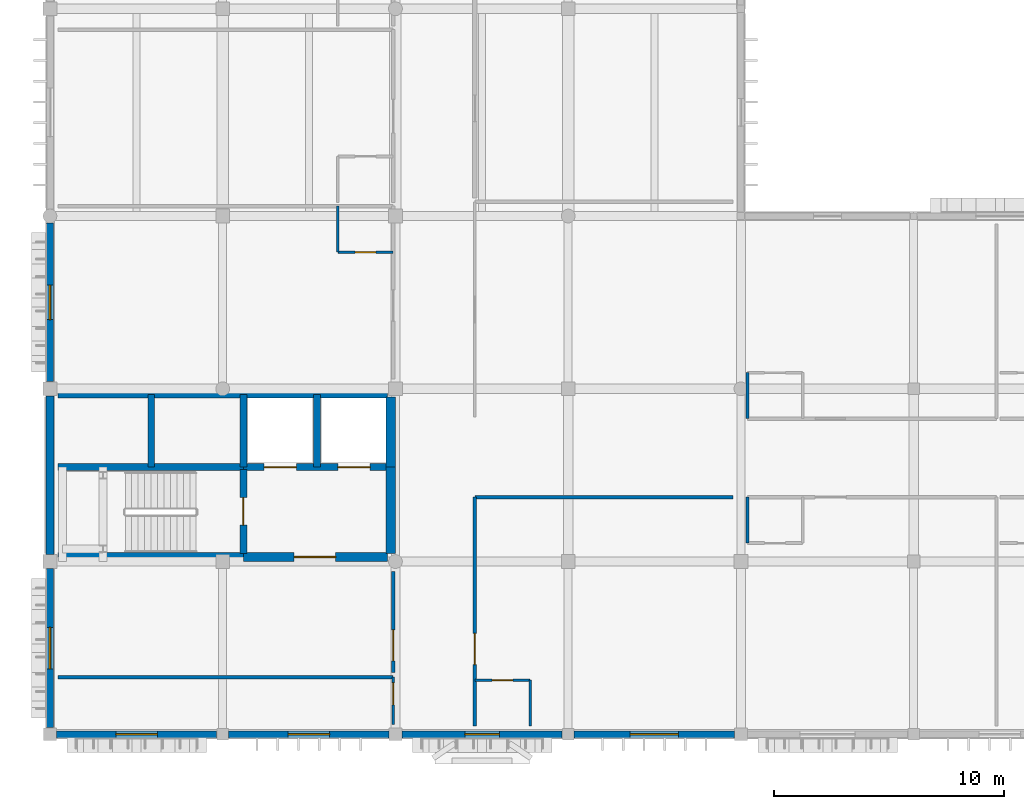
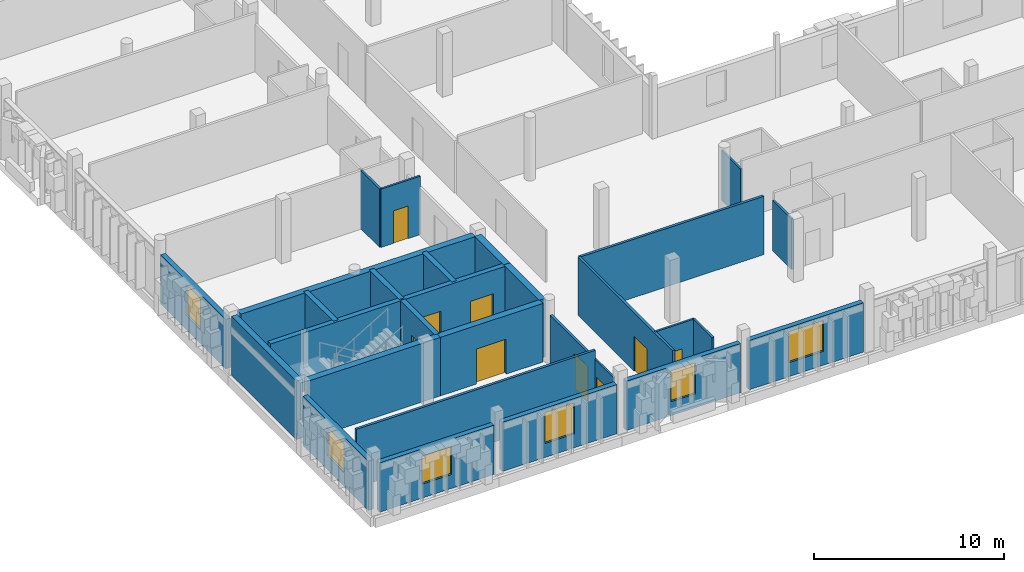
# One storey, part 10 of 33: 29 walls, 9 doors, 6 windows, 15 openings.
"""IFC4 building model written with IfcOpenShell, lengths in metres."""

from ifc_helpers import new_model, si_unit, direction, frame, frame_2d, origin, place, context, subcontext, project, spatial, rectangle, extrude, material, layer, layer_set, type_object, element, fill, save


model = new_model("IFC4")

# Units and contexts
model_context = context("Model", 3, precision=1e-05, world=origin(), true_north=direction((0.0, 1.0)))
body_context = subcontext(model_context, "Body", "Model", "MODEL_VIEW")
ifc_project = project(units=[si_unit("LENGTHUNIT", "METRE"), si_unit("AREAUNIT", "SQUARE_METRE"), si_unit("VOLUMEUNIT", "CUBIC_METRE"), si_unit("PLANEANGLEUNIT", "RADIAN"), si_unit("MASSUNIT", "GRAM", prefix="KILO")], contexts=[model_context])

# Site, building, storey
site_placement = place(None, origin())
site = spatial("IfcSite", under=ifc_project, at=site_placement, CompositionType="ELEMENT")
building_placement = place(site_placement, origin())
building = spatial("IfcBuilding", under=site, at=building_placement, Name="Dalvernix Boulevard General Hospital", CompositionType="ELEMENT")
storey_placement = place(building_placement, frame((0.0, 0.0, 21.89990234375)))
storey = spatial("IfcBuildingStorey", under=building, at=storey_placement, Name="L05", CompositionType="ELEMENT", Elevation=21.89990234375)

# Wall
ifc_material_1 = material(Name="Concrete C40/50", Category="concrete")
ifc_layer_1 = layer(ifc_material_1, 0.39990234375)
ifc_layer_set_1 = layer_set([ifc_layer_1], Name="Concrete C40/50 (WAL-CSW-01)")
wall_type_1 = type_object("IfcWallType", Name="WAL-CSW-01", PredefinedType="SHEAR", material=ifc_layer_set_1)
wall_1_placement = place(storey_placement, frame((0.35009765625, 7.699951171875, 0.0), z_axis=(0.0, 0.0, 1.0), x_axis=(1.0, 0.0, 0.0)))
element("IfcWall", 1, at=wall_1_placement, inside=storey, type_object=wall_type_1, Name="L05 C1 south stairwell wall", PredefinedType="SHEAR", context=body_context, shape_type="SweptSolid", body=[
    extrude(rectangle(XDim=8.0498046875, YDim=0.39990234375, at=frame_2d((4.02490234375, 0.0))), origin(), (0.0, 0.0, 1.0), 3.77001953125),
])

# Wall, opening, door
wall_2_placement = place(storey_placement, frame((8.39990234375, 7.699951171875, 0.0), z_axis=(0.0, 0.0, 1.0), x_axis=(1.0, 0.0, 0.0)))
wall_2 = element("IfcWall", 2, at=wall_2_placement, inside=storey, type_object=wall_type_1, Name="L05 C1 south firefighting lobby wall", PredefinedType="SHEAR", context=body_context, shape_type="SweptSolid", body=[
    extrude(rectangle(XDim=6.25, YDim=0.39990234375, at=frame_2d((3.125, 0.0))), origin(), (0.0, 0.0, 1.0), 3.77001953125),
])
opening_1_placement = place(wall_2_placement, frame((2.199951171875, 0.0, 0.0)))
opening_1 = element("IfcOpeningElement", 3, at=opening_1_placement, cuts=wall_2, Name="Opening FD-01", PredefinedType="OPENING", context=body_context, shape_type="SweptSolid", body=[
    extrude(rectangle(XDim=1.800048828125, YDim=2.25, at=frame_2d((0.89990234375, 1.125))), frame((0.0, 0.2099609375, 0.0), z_axis=(0.0, -1.0, 0.0), x_axis=(1.0, 0.0, 0.0)), (0.0, 0.0, 1.0), 0.419921875),
])
ifc_material_2 = material(Name="Hospital laminate acoustic timber and steel frame", Category="steel")
door_type_1 = type_object("IfcDoorType", Name="DR-FD-01", OperationType="DOUBLE_DOOR_SINGLE_SWING", PredefinedType="DOOR", material=ifc_material_2)
door_1_placement = place(opening_1_placement, origin())
door_1 = element("IfcDoor", 4, at=door_1_placement, inside=storey, type_object=door_type_1, Name="L05 C1 firefighting lobby door", OperationType="DOUBLE_DOOR_SINGLE_SWING", OverallHeight=2.25, OverallWidth=1.800048828125, PredefinedType="DOOR", context=body_context, shape_type="SweptSolid", body=[
    extrude(rectangle(XDim=1.800048828125, YDim=2.25, at=frame_2d((0.89990234375, 1.125))), frame((0.0, 0.02490234375, 0.0), z_axis=(0.0, -1.0, 0.0), x_axis=(1.0, 0.0, 0.0)), (0.0, 0.0, 1.0), 0.050048828125),
])
fill(opening_1, door_1)

# Walls
wall_3_placement = place(storey_placement, frame((0.35009765625, 14.800048828125, 0.0), z_axis=(0.0, 0.0, 1.0), x_axis=(1.0, 0.0, 0.0)))
element("IfcWall", 5, at=wall_3_placement, inside=storey, type_object=wall_type_1, Name="L05 C1 north shaft core wall", PredefinedType="SHEAR", context=body_context, shape_type="SweptSolid", body=[
    extrude(rectangle(XDim=14.2998046875, YDim=0.39990234375, at=frame_2d((7.14990234375, 0.0))), origin(), (0.0, 0.0, 1.0), 3.77001953125),
])
wall_4_placement = place(storey_placement, frame((14.800048828125, 7.85009765625, 0.0), z_axis=(0.0, 0.0, 1.0), x_axis=(0.0, 1.0, 0.0)))
element("IfcWall", 6, at=wall_4_placement, inside=storey, type_object=wall_type_1, Name="L05 C1 east lobby core wall", PredefinedType="SHEAR", context=body_context, shape_type="SweptSolid", body=[
    extrude(rectangle(XDim=3.75, YDim=0.39990234375, at=frame_2d((1.875, 0.0))), origin(), (0.0, 0.0, 1.0), 3.77001953125),
])
wall_5_placement = place(storey_placement, frame((14.800048828125, 11.60009765625, 0.0), z_axis=(0.0, 0.0, 1.0), x_axis=(0.0, 1.0, 0.0)))
element("IfcWall", 7, at=wall_5_placement, inside=storey, type_object=wall_type_1, Name="L05 C1 east shaft core wall", PredefinedType="SHEAR", context=body_context, shape_type="SweptSolid", body=[
    extrude(rectangle(XDim=3.0498046875, YDim=0.39990234375, at=frame_2d((1.52490234375, 0.0))), origin(), (0.0, 0.0, 1.0), 3.77001953125),
])
ifc_layer_2 = layer(ifc_material_1, 0.300048828125)
ifc_layer_set_2 = layer_set([ifc_layer_2], Name="Concrete C40/50 (WAL-CSW-02)")
wall_type_2 = type_object("IfcWallType", Name="WAL-CSW-02", PredefinedType="SHEAR", material=ifc_layer_set_2)
wall_6_placement = place(storey_placement, frame((0.35009765625, 11.60009765625, 0.0), z_axis=(0.0, 0.0, 1.0), x_axis=(1.0, 0.0, 0.0)))
element("IfcWall", 8, at=wall_6_placement, inside=storey, type_object=wall_type_2, Name="L05 C1 riser spine wall", PredefinedType="SHEAR", context=body_context, shape_type="SweptSolid", body=[
    extrude(rectangle(XDim=8.0498046875, YDim=0.300048828125, at=frame_2d((4.02490234375, 0.0))), origin(), (0.0, 0.0, 1.0), 3.77001953125),
])

# Wall, openings, doors
wall_7_placement = place(storey_placement, frame((8.39990234375, 11.60009765625, 0.0), z_axis=(0.0, 0.0, 1.0), x_axis=(1.0, 0.0, 0.0)))
wall_7 = element("IfcWall", 9, at=wall_7_placement, inside=storey, type_object=wall_type_2, Name="L05 C1 lift shaft front wall", PredefinedType="SHEAR", context=body_context, shape_type="SweptSolid", body=[
    extrude(rectangle(XDim=6.25, YDim=0.300048828125, at=frame_2d((3.125, 0.0))), origin(), (0.0, 0.0, 1.0), 3.77001953125),
])
opening_2_placement = place(wall_7_placement, frame((0.89990234375, 0.0, 0.0)))
opening_2 = element("IfcOpeningElement", 10, at=opening_2_placement, cuts=wall_7, Name="Opening LD-FFL-01-L05", PredefinedType="OPENING", context=body_context, shape_type="SweptSolid", body=[
    extrude(rectangle(XDim=1.39990234375, YDim=2.25, at=frame_2d((0.699951171875, 1.125))), frame((0.0, 0.159912109375, 0.0), z_axis=(0.0, -1.0, 0.0), x_axis=(1.0, 0.0, 0.0)), (0.0, 0.0, 1.0), 0.320068359375),
])
opening_3_placement = place(wall_7_placement, frame((4.10009765625, 0.0, 0.0)))
opening_3 = element("IfcOpeningElement", 11, at=opening_3_placement, cuts=wall_7, Name="Opening LD-FFL-02-L05", PredefinedType="OPENING", context=body_context, shape_type="SweptSolid", body=[
    extrude(rectangle(XDim=1.39990234375, YDim=2.25, at=frame_2d((0.699951171875, 1.125))), frame((0.0, 0.159912109375, 0.0), z_axis=(0.0, -1.0, 0.0), x_axis=(1.0, 0.0, 0.0)), (0.0, 0.0, 1.0), 0.320068359375),
])
ifc_material_3 = material(Name="Stainless-clad steel", Category="steel")
door_type_2 = type_object("IfcDoorType", Name="DR-LD-01", OperationType="DOUBLE_DOOR_SLIDING", PredefinedType="DOOR", material=ifc_material_3)
door_2_placement = place(opening_2_placement, origin())
door_2 = element("IfcDoor", 12, at=door_2_placement, inside=storey, type_object=door_type_2, Name="L05 Lift FFL-01 sliding landing door", OperationType="DOUBLE_DOOR_SLIDING", OverallHeight=2.25, OverallWidth=1.39990234375, PredefinedType="DOOR", context=body_context, shape_type="SweptSolid", body=[
    extrude(rectangle(XDim=1.39990234375, YDim=2.25, at=frame_2d((0.699951171875, 1.125))), frame((0.0, 0.02490234375, 0.0), z_axis=(0.0, -1.0, 0.0), x_axis=(1.0, 0.0, 0.0)), (0.0, 0.0, 1.0), 0.050048828125),
])
fill(opening_2, door_2)
door_3_placement = place(opening_3_placement, origin())
door_3 = element("IfcDoor", 13, at=door_3_placement, inside=storey, type_object=door_type_2, Name="L05 Lift FFL-02 sliding landing door", OperationType="DOUBLE_DOOR_SLIDING", OverallHeight=2.25, OverallWidth=1.39990234375, PredefinedType="DOOR", context=body_context, shape_type="SweptSolid", body=[
    extrude(rectangle(XDim=1.39990234375, YDim=2.25, at=frame_2d((0.699951171875, 1.125))), frame((0.0, 0.02490234375, 0.0), z_axis=(0.0, -1.0, 0.0), x_axis=(1.0, 0.0, 0.0)), (0.0, 0.0, 1.0), 0.050048828125),
])
fill(opening_3, door_3)

# Wall, opening, door
wall_8_placement = place(storey_placement, frame((8.39990234375, 11.5, 0.0), z_axis=(0.0, 0.0, 1.0), x_axis=(0.0, -1.0, 0.0)))
wall_8 = element("IfcWall", 14, at=wall_8_placement, inside=storey, type_object=wall_type_2, Name="L05 C1 stairwell fire wall", PredefinedType="SHEAR", context=body_context, shape_type="SweptSolid", body=[
    extrude(rectangle(XDim=3.64990234375, YDim=0.300048828125, at=frame_2d((1.824951171875, 0.0))), origin(), (0.0, 0.0, 1.0), 3.77001953125),
])
opening_4_placement = place(wall_8_placement, frame((1.219970703125, 0.0, 0.0)))
opening_4 = element("IfcOpeningElement", 15, at=opening_4_placement, cuts=wall_8, Name="Opening FD-02", PredefinedType="OPENING", context=body_context, shape_type="SweptSolid", body=[
    extrude(rectangle(XDim=1.199951171875, YDim=2.25, at=frame_2d((0.60009765625, 1.125))), frame((0.0, 0.159912109375, 0.0), z_axis=(0.0, -1.0, 0.0), x_axis=(1.0, 0.0, 0.0)), (0.0, 0.0, 1.0), 0.320068359375),
])
door_type_3 = type_object("IfcDoorType", Name="DR-FD-02", OperationType="NOTDEFINED", PredefinedType="DOOR", material=ifc_material_2)
door_4_placement = place(opening_4_placement, origin())
door_4 = element("IfcDoor", 16, at=door_4_placement, inside=storey, type_object=door_type_3, Name="L05 Stair ST-01 fire door", OperationType="SINGLE_SWING_LEFT", OverallHeight=2.25, OverallWidth=1.199951171875, PredefinedType="DOOR", context=body_context, shape_type="SweptSolid", body=[
    extrude(rectangle(XDim=1.199951171875, YDim=2.25, at=frame_2d((0.60009765625, 1.125))), frame((0.0, 0.02490234375, 0.0), z_axis=(0.0, -1.0, 0.0), x_axis=(1.0, 0.0, 0.0)), (0.0, 0.0, 1.0), 0.050048828125),
])
fill(opening_4, door_4)

# Walls
for number, where, z_axis, x_axis, name in (
    (17, (4.39990234375, 11.60009765625, 0.0), (0.0, 0.0, 1.0), (0.0, 1.0, 0.0), "L05 C1 shaft divider R1"),
    (18, (8.39990234375, 11.60009765625, 0.0), (0.0, 0.0, 1.0), (0.0, 1.0, 0.0), "L05 C1 shaft divider R2"),
    (19, (11.60009765625, 11.60009765625, 0.0), (0.0, 0.0, 1.0), (0.0, 1.0, 0.0), "L05 C1 shaft divider L1"),
):
    element("IfcWall", number, at=place(storey_placement, frame(where, z_axis=z_axis, x_axis=x_axis)), inside=storey, type_object=wall_type_2, Name=name, PredefinedType="SHEAR", context=body_context, shape_type="SweptSolid", body=[
        extrude(rectangle(XDim=3.14990234375, YDim=0.300048828125, at=frame_2d((1.574951171875, 0.0))), origin(), (0.0, 0.0, 1.0), 3.77001953125),
    ])
ifc_layer_3 = layer(ifc_material_1, 0.35009765625)
ifc_layer_set_3 = layer_set([ifc_layer_3], Name="Concrete C40/50 (WAL-ESW-01)")
wall_type_3 = type_object("IfcWallType", Name="WAL-ESW-01", PredefinedType="SHEAR", material=ifc_layer_set_3)
wall_9_placement = place(storey_placement, frame((0.0, 7.81005859375, 0.0), z_axis=(0.0, 0.0, 1.0), x_axis=(0.0, 1.0, 0.0)))
element("IfcWall", 20, at=wall_9_placement, inside=storey, type_object=wall_type_3, Name="L05 core perimeter shear wall W 0-1", PredefinedType="SHEAR", context=body_context, shape_type="SweptSolid", body=[
    extrude(rectangle(XDim=6.8798828125, YDim=0.35009765625, at=frame_2d((3.43994140625, 0.0))), origin(), (0.0, 0.0, 1.0), 3.77001953125),
])

# Wall, opening, window
ifc_material_4 = material(Name="Pressed Catalan clay brick and ceramic spandrel wall C35/45", Category="masonry")
ifc_layer_4 = layer(ifc_material_4, 0.300048828125)
ifc_layer_set_4 = layer_set([ifc_layer_4], Name="Pressed Catalan clay brick and ceramic spandrel wall C35/45 (WAL-EW-02)")
wall_type_4 = type_object("IfcWallType", Name="WAL-EW-02", PredefinedType="STANDARD", material=ifc_layer_set_4)
wall_10_placement = place(storey_placement, frame((7.239990234375, 0.0, 0.0), z_axis=(0.0, 0.0, 1.0), x_axis=(-1.0, 0.0, 0.0)))
wall_10 = element("IfcWall", 21, at=wall_10_placement, inside=storey, type_object=wall_type_4, Name="L05 Catalan brick external wall S 0-0", PredefinedType="STANDARD", context=body_context, shape_type="SweptSolid", body=[
    extrude(rectangle(XDim=6.955078125, YDim=0.300048828125, at=frame_2d((3.4775390625, 0.0))), origin(), (0.0, 0.0, 1.0), 3.170166015625),
])
opening_5_placement = place(wall_10_placement, frame((2.577392578125, 0.0, 0.89990234375)))
opening_5 = element("IfcOpeningElement", 22, at=opening_5_placement, cuts=wall_10, Name="Opening WN-16", PredefinedType="OPENING", context=body_context, shape_type="SweptSolid", body=[
    extrude(rectangle(XDim=1.800048828125, YDim=1.800048828125, at=frame_2d((0.89990234375, 0.89990234375))), frame((0.0, 0.159912109375, 0.0), z_axis=(0.0, -1.0, 0.0), x_axis=(1.0, 0.0, 0.0)), (0.0, 0.0, 1.0), 0.320068359375),
])
ifc_material_5 = material(Name="Thermally broken aluminium frame with solar-control double glazing", Category="aluminium")
window_type_1 = type_object("IfcWindowType", Name="WIN-WN-16", PartitioningType="SINGLE_PANEL", PredefinedType="WINDOW", material=ifc_material_5)
window_1_placement = place(opening_5_placement, origin())
window_1 = element("IfcWindow", 23, at=window_1_placement, inside=storey, type_object=window_type_1, Name="L05 clinical window WN-16 S 0-0", OverallHeight=1.800048828125, OverallWidth=1.800048828125, PartitioningType="SINGLE_PANEL", PredefinedType="WINDOW", context=body_context, shape_type="SweptSolid", body=[
    extrude(rectangle(XDim=1.800048828125, YDim=1.800048828125, at=frame_2d((0.89990234375, 0.89990234375))), frame((0.0, 0.030029296875, 0.0), z_axis=(0.0, -1.0, 0.0), x_axis=(1.0, 0.0, 0.0)), (0.0, 0.0, 1.0), 0.06005859375),
])
fill(opening_5, window_1)

wall_11_placement = place(storey_placement, frame((0.0, 0.284912109375, 0.0), z_axis=(0.0, 0.0, 1.0), x_axis=(0.0, 1.0, 0.0)))
wall_11 = element("IfcWall", 24, at=wall_11_placement, inside=storey, type_object=wall_type_4, Name="L05 Catalan brick external wall W 0-0", PredefinedType="STANDARD", context=body_context, shape_type="SweptSolid", body=[
    extrude(rectangle(XDim=6.905029296875, YDim=0.300048828125, at=frame_2d((3.45263671875, 0.0))), origin(), (0.0, 0.0, 1.0), 3.170166015625),
])
opening_6_placement = place(wall_11_placement, frame((2.552490234375, 0.0, 0.89990234375)))
opening_6 = element("IfcOpeningElement", 25, at=opening_6_placement, cuts=wall_11, Name="Opening WN-16", PredefinedType="OPENING", context=body_context, shape_type="SweptSolid", body=[
    extrude(rectangle(XDim=1.800048828125, YDim=1.800048828125, at=frame_2d((0.89990234375, 0.89990234375))), frame((0.0, 0.159912109375, 0.0), z_axis=(0.0, -1.0, 0.0), x_axis=(1.0, 0.0, 0.0)), (0.0, 0.0, 1.0), 0.320068359375),
])
window_2_placement = place(opening_6_placement, origin())
window_2 = element("IfcWindow", 26, at=window_2_placement, inside=storey, type_object=window_type_1, Name="L05 clinical window WN-16 W 0-0", OverallHeight=1.800048828125, OverallWidth=1.800048828125, PartitioningType="SINGLE_PANEL", PredefinedType="WINDOW", context=body_context, shape_type="SweptSolid", body=[
    extrude(rectangle(XDim=1.800048828125, YDim=1.800048828125, at=frame_2d((0.89990234375, 0.89990234375))), frame((0.0, 0.030029296875, 0.0), z_axis=(0.0, -1.0, 0.0), x_axis=(1.0, 0.0, 0.0)), (0.0, 0.0, 1.0), 0.06005859375),
])
fill(opening_6, window_2)

wall_12_placement = place(storey_placement, frame((0.0, 15.31005859375, 0.0), z_axis=(0.0, 0.0, 1.0), x_axis=(0.0, 1.0, 0.0)))
wall_12 = element("IfcWall", 27, at=wall_12_placement, inside=storey, type_object=wall_type_4, Name="L05 Catalan brick external wall W 0-2", PredefinedType="STANDARD", context=body_context, shape_type="SweptSolid", body=[
    extrude(rectangle(XDim=6.8798828125, YDim=0.300048828125, at=frame_2d((3.43994140625, 0.0))), origin(), (0.0, 0.0, 1.0), 3.170166015625),
])
opening_7_placement = place(wall_12_placement, frame((2.68994140625, 0.0, 0.89990234375)))
opening_7 = element("IfcOpeningElement", 28, at=opening_7_placement, cuts=wall_12, Name="Opening WN-02", PredefinedType="OPENING", context=body_context, shape_type="SweptSolid", body=[
    extrude(rectangle(XDim=1.5, YDim=1.989990234375, at=frame_2d((0.75, 0.9951171875))), frame((0.0, 0.159912109375, 0.0), z_axis=(0.0, -1.0, 0.0), x_axis=(1.0, 0.0, 0.0)), (0.0, 0.0, 1.0), 0.320068359375),
])
window_type_2 = type_object("IfcWindowType", Name="WIN-WN-02", PartitioningType="SINGLE_PANEL", PredefinedType="WINDOW", material=ifc_material_5)
window_3_placement = place(opening_7_placement, origin())
window_3 = element("IfcWindow", 29, at=window_3_placement, inside=storey, type_object=window_type_2, Name="L05 clinical window WN-02 W 0-2", OverallHeight=1.989990234375, OverallWidth=1.5, PartitioningType="SINGLE_PANEL", PredefinedType="WINDOW", context=body_context, shape_type="SweptSolid", body=[
    extrude(rectangle(XDim=1.5, YDim=1.989990234375, at=frame_2d((0.75, 0.9951171875))), frame((0.0, 0.030029296875, 0.0), z_axis=(0.0, -1.0, 0.0), x_axis=(1.0, 0.0, 0.0)), (0.0, 0.0, 1.0), 0.06005859375),
])
fill(opening_7, window_3)

wall_13_placement = place(storey_placement, frame((14.715087890625, 0.0, 0.0), z_axis=(0.0, 0.0, 1.0), x_axis=(-1.0, 0.0, 0.0)))
wall_13 = element("IfcWall", 30, at=wall_13_placement, inside=storey, type_object=wall_type_4, Name="L05 Catalan brick external wall S 1-0", PredefinedType="STANDARD", context=body_context, shape_type="SweptSolid", body=[
    extrude(rectangle(XDim=6.955078125, YDim=0.300048828125, at=frame_2d((3.4775390625, 0.0))), origin(), (0.0, 0.0, 1.0), 3.170166015625),
])
opening_8_placement = place(wall_13_placement, frame((2.577392578125, 0.0, 0.89990234375)))
opening_8 = element("IfcOpeningElement", 31, at=opening_8_placement, cuts=wall_13, Name="Opening WN-01", PredefinedType="OPENING", context=body_context, shape_type="SweptSolid", body=[
    extrude(rectangle(XDim=1.800048828125, YDim=1.989990234375, at=frame_2d((0.89990234375, 0.9951171875))), frame((0.0, 0.159912109375, 0.0), z_axis=(0.0, -1.0, 0.0), x_axis=(1.0, 0.0, 0.0)), (0.0, 0.0, 1.0), 0.320068359375),
])
window_type_3 = type_object("IfcWindowType", Name="WIN-WN-01", PartitioningType="SINGLE_PANEL", PredefinedType="WINDOW", material=ifc_material_5)
window_4_placement = place(opening_8_placement, origin())
window_4 = element("IfcWindow", 32, at=window_4_placement, inside=storey, type_object=window_type_3, Name="L05 clinical window WN-01 S 1-0", OverallHeight=1.989990234375, OverallWidth=1.800048828125, PartitioningType="SINGLE_PANEL", PredefinedType="WINDOW", context=body_context, shape_type="SweptSolid", body=[
    extrude(rectangle(XDim=1.800048828125, YDim=1.989990234375, at=frame_2d((0.89990234375, 0.9951171875))), frame((0.0, 0.030029296875, 0.0), z_axis=(0.0, -1.0, 0.0), x_axis=(1.0, 0.0, 0.0)), (0.0, 0.0, 1.0), 0.06005859375),
])
fill(opening_8, window_4)

wall_14_placement = place(storey_placement, frame((22.239990234375, 0.0, 0.0), z_axis=(0.0, 0.0, 1.0), x_axis=(-1.0, 0.0, 0.0)))
wall_14 = element("IfcWall", 33, at=wall_14_placement, inside=storey, type_object=wall_type_4, Name="L05 Catalan brick external wall S 2-0", PredefinedType="STANDARD", context=body_context, shape_type="SweptSolid", body=[
    extrude(rectangle(XDim=6.955078125, YDim=0.300048828125, at=frame_2d((3.4775390625, 0.0))), origin(), (0.0, 0.0, 1.0), 3.170166015625),
])
opening_9_placement = place(wall_14_placement, frame((2.7275390625, 0.0, 0.89990234375)))
opening_9 = element("IfcOpeningElement", 34, at=opening_9_placement, cuts=wall_14, Name="Opening WN-02", PredefinedType="OPENING", context=body_context, shape_type="SweptSolid", body=[
    extrude(rectangle(XDim=1.5, YDim=1.989990234375, at=frame_2d((0.75, 0.9951171875))), frame((0.0, 0.159912109375, 0.0), z_axis=(0.0, -1.0, 0.0), x_axis=(1.0, 0.0, 0.0)), (0.0, 0.0, 1.0), 0.320068359375),
])
window_5_placement = place(opening_9_placement, origin())
window_5 = element("IfcWindow", 35, at=window_5_placement, inside=storey, type_object=window_type_2, Name="L05 clinical window WN-02 S 2-0", OverallHeight=1.989990234375, OverallWidth=1.5, PartitioningType="SINGLE_PANEL", PredefinedType="WINDOW", context=body_context, shape_type="SweptSolid", body=[
    extrude(rectangle(XDim=1.5, YDim=1.989990234375, at=frame_2d((0.75, 0.9951171875))), frame((0.0, 0.030029296875, 0.0), z_axis=(0.0, -1.0, 0.0), x_axis=(1.0, 0.0, 0.0)), (0.0, 0.0, 1.0), 0.06005859375),
])
fill(opening_9, window_5)

wall_15_placement = place(storey_placement, frame((29.715087890625, 0.0, 0.0), z_axis=(0.0, 0.0, 1.0), x_axis=(-1.0, 0.0, 0.0)))
wall_15 = element("IfcWall", 36, at=wall_15_placement, inside=storey, type_object=wall_type_4, Name="L05 Catalan brick external wall S 3-0", PredefinedType="STANDARD", context=body_context, shape_type="SweptSolid", body=[
    extrude(rectangle(XDim=6.955078125, YDim=0.300048828125, at=frame_2d((3.4775390625, 0.0))), origin(), (0.0, 0.0, 1.0), 3.170166015625),
])
opening_10_placement = place(wall_15_placement, frame((2.427490234375, 0.0, 0.89990234375)))
opening_10 = element("IfcOpeningElement", 37, at=opening_10_placement, cuts=wall_15, Name="Opening WN-03", PredefinedType="OPENING", context=body_context, shape_type="SweptSolid", body=[
    extrude(rectangle(XDim=2.10009765625, YDim=1.989990234375, at=frame_2d((1.050048828125, 0.9951171875))), frame((0.0, 0.159912109375, 0.0), z_axis=(0.0, -1.0, 0.0), x_axis=(1.0, 0.0, 0.0)), (0.0, 0.0, 1.0), 0.320068359375),
])
window_type_4 = type_object("IfcWindowType", Name="WIN-WN-03", PartitioningType="SINGLE_PANEL", PredefinedType="WINDOW", material=ifc_material_5)
window_6_placement = place(opening_10_placement, origin())
window_6 = element("IfcWindow", 38, at=window_6_placement, inside=storey, type_object=window_type_4, Name="L05 clinical window WN-03 S 3-0", OverallHeight=1.989990234375, OverallWidth=2.10009765625, PartitioningType="SINGLE_PANEL", PredefinedType="WINDOW", context=body_context, shape_type="SweptSolid", body=[
    extrude(rectangle(XDim=2.10009765625, YDim=1.989990234375, at=frame_2d((1.050048828125, 0.9951171875))), frame((0.0, 0.030029296875, 0.0), z_axis=(0.0, -1.0, 0.0), x_axis=(1.0, 0.0, 0.0)), (0.0, 0.0, 1.0), 0.06005859375),
])
fill(opening_10, window_6)

# Wall, opening, door
ifc_material_6 = material(Name="Acoustic double-stud gypsum inpatient partition")
ifc_layer_5 = layer(ifc_material_6, 0.14990234375)
ifc_layer_set_5 = layer_set([ifc_layer_5], Name="Acoustic double-stud gypsum inpatient partition (WAL-IW-04)")
wall_type_5 = type_object("IfcWallType", Name="WAL-IW-04", PredefinedType="PARTITIONING", material=ifc_layer_set_5)
wall_16_placement = place(storey_placement, frame((14.89990234375, 2.679931640625, 0.0), z_axis=(0.0, 0.0, 1.0), x_axis=(0.0, 1.0, 0.0)))
wall_16 = element("IfcWall", 39, at=wall_16_placement, inside=storey, type_object=wall_type_5, Name="L05 On-Call Duty Room L05 corridor wall", PredefinedType="PARTITIONING", context=body_context, shape_type="SweptSolid", body=[
    extrude(rectangle(XDim=4.39013671875, YDim=0.14990234375, at=frame_2d((2.195068359375, 0.0))), origin(), (0.0, 0.0, 1.0), 3.205078125),
])
opening_11_placement = place(wall_16_placement, frame((0.50390625, 0.0, 0.0)))
opening_11 = element("IfcOpeningElement", 40, at=opening_11_placement, cuts=wall_16, Name="Opening ID-01", PredefinedType="OPENING", context=body_context, shape_type="SweptSolid", body=[
    extrude(rectangle(XDim=1.35009765625, YDim=2.25, at=frame_2d((0.675048828125, 1.125))), frame((0.0, 0.0849609375, 0.0), z_axis=(0.0, -1.0, 0.0), x_axis=(1.0, 0.0, 0.0)), (0.0, 0.0, 1.0), 0.169921875),
])
door_type_4 = type_object("IfcDoorType", Name="DR-ID-01", OperationType="NOTDEFINED", PredefinedType="DOOR", material=ifc_material_2)
door_5_placement = place(opening_11_placement, origin())
door_5 = element("IfcDoor", 41, at=door_5_placement, inside=storey, type_object=door_type_4, Name="L05 On-Call Duty Room L05 door", OperationType="SINGLE_SWING_LEFT", OverallHeight=2.25, OverallWidth=1.35009765625, PredefinedType="DOOR", context=body_context, shape_type="SweptSolid", body=[
    extrude(rectangle(XDim=1.35009765625, YDim=2.25, at=frame_2d((0.675048828125, 1.125))), frame((0.0, 0.02490234375, 0.0), z_axis=(0.0, -1.0, 0.0), x_axis=(1.0, 0.0, 0.0)), (0.0, 0.0, 1.0), 0.050048828125),
])
fill(opening_11, door_5)

wall_17_placement = place(storey_placement, frame((18.449951171875, 10.300048828125, 0.0), z_axis=(0.0, 0.0, 1.0), x_axis=(0.0, -1.0, 0.0)))
wall_17 = element("IfcWall", 42, at=wall_17_placement, inside=storey, type_object=wall_type_5, Name="L05 Single Patient Room L05-ES0 corridor wall", PredefinedType="PARTITIONING", context=body_context, shape_type="SweptSolid", body=[
    extrude(rectangle(XDim=9.949951171875, YDim=0.14990234375, at=frame_2d((4.97509765625, 0.0))), origin(), (0.0, 0.0, 1.0), 3.755126953125),
])
opening_12_placement = place(wall_17_placement, frame((5.919921875, 0.0, 0.0)))
opening_12 = element("IfcOpeningElement", 43, at=opening_12_placement, cuts=wall_17, Name="Opening ID-01", PredefinedType="OPENING", context=body_context, shape_type="SweptSolid", body=[
    extrude(rectangle(XDim=1.35009765625, YDim=2.25, at=frame_2d((0.675048828125, 1.125))), frame((0.0, 0.0849609375, 0.0), z_axis=(0.0, -1.0, 0.0), x_axis=(1.0, 0.0, 0.0)), (0.0, 0.0, 1.0), 0.169921875),
])
door_6_placement = place(opening_12_placement, origin())
door_6 = element("IfcDoor", 44, at=door_6_placement, inside=storey, type_object=door_type_4, Name="L05 Single Patient Room L05-ES0 door", OperationType="SINGLE_SWING_RIGHT", OverallHeight=2.25, OverallWidth=1.35009765625, PredefinedType="DOOR", context=body_context, shape_type="SweptSolid", body=[
    extrude(rectangle(XDim=1.35009765625, YDim=2.25, at=frame_2d((0.675048828125, 1.125))), frame((0.0, 0.02490234375, 0.0), z_axis=(0.0, -1.0, 0.0), x_axis=(1.0, 0.0, 0.0)), (0.0, 0.0, 1.0), 0.050048828125),
])
fill(opening_12, door_6)

# Walls
wall_18_placement = place(storey_placement, frame((0.35009765625, 2.47998046875, 0.0), z_axis=(0.0, 0.0, 1.0), x_axis=(1.0, 0.0, 0.0)))
element("IfcWall", 45, at=wall_18_placement, inside=storey, type_object=wall_type_5, Name="L05 Accessible Public WC L05 West partition", PredefinedType="PARTITIONING", context=body_context, shape_type="SweptSolid", body=[
    extrude(rectangle(XDim=14.5498046875, YDim=0.14990234375, at=frame_2d((7.27490234375, 0.0))), origin(), (0.0, 0.0, 1.0), 3.755126953125),
])
wall_19_placement = place(storey_placement, frame((18.449951171875, 10.300048828125, 0.0), z_axis=(0.0, 0.0, 1.0), x_axis=(1.0, 0.0, 0.0)))
element("IfcWall", 46, at=wall_19_placement, inside=storey, type_object=wall_type_5, Name="L05 Single Patient Room L05-ES0 partition", PredefinedType="PARTITIONING", context=body_context, shape_type="SweptSolid", body=[
    extrude(rectangle(XDim=11.199951171875, YDim=0.14990234375, at=frame_2d((5.60009765625, 0.0))), origin(), (0.0, 0.0, 1.0), 3.755126953125),
])

# Wall, opening, door
ifc_material_7 = material(Name="Moisture-resistant en-suite bathroom partition")
ifc_layer_6 = layer(ifc_material_7, 0.1201171875)
ifc_layer_set_6 = layer_set([ifc_layer_6], Name="Moisture-resistant en-suite bathroom partition (WAL-IW-05)")
wall_type_6 = type_object("IfcWallType", Name="WAL-IW-05", PredefinedType="PARTITIONING", material=ifc_layer_set_6)
wall_20_placement = place(storey_placement, frame((12.5, 20.929931640625, 0.0), z_axis=(0.0, 0.0, 1.0), x_axis=(1.0, 0.0, 0.0)))
wall_20 = element("IfcWall", 47, at=wall_20_placement, inside=storey, type_object=wall_type_6, Name="L05 en-suite bathroom door wall", PredefinedType="PARTITIONING", context=body_context, shape_type="SweptSolid", body=[
    extrude(rectangle(XDim=2.39990234375, YDim=0.1201171875, at=frame_2d((1.199951171875, 0.0))), origin(), (0.0, 0.0, 1.0), 3.755126953125),
])
opening_13_placement = place(wall_20_placement, frame((0.75, 0.0, 0.0)))
opening_13 = element("IfcOpeningElement", 48, at=opening_13_placement, cuts=wall_20, Name="Opening ID-05", PredefinedType="OPENING", context=body_context, shape_type="SweptSolid", body=[
    extrude(rectangle(XDim=0.89990234375, YDim=2.10009765625, at=frame_2d((0.449951171875, 1.050048828125))), frame((0.0, 0.070068359375, 0.0), z_axis=(0.0, -1.0, 0.0), x_axis=(1.0, 0.0, 0.0)), (0.0, 0.0, 1.0), 0.14013671875),
])
door_type_5 = type_object("IfcDoorType", Name="DR-ID-05", OperationType="NOTDEFINED", PredefinedType="DOOR", material=ifc_material_2)
door_7_placement = place(opening_13_placement, origin())
door_7 = element("IfcDoor", 49, at=door_7_placement, inside=storey, type_object=door_type_5, Name="L05 L05-WRD-W02 en-suite bathroom door", OperationType="SINGLE_SWING_LEFT", OverallHeight=2.10009765625, OverallWidth=0.89990234375, PredefinedType="DOOR", context=body_context, shape_type="SweptSolid", body=[
    extrude(rectangle(XDim=0.89990234375, YDim=2.10009765625, at=frame_2d((0.449951171875, 1.050048828125))), frame((0.0, 0.02490234375, 0.0), z_axis=(0.0, -1.0, 0.0), x_axis=(1.0, 0.0, 0.0)), (0.0, 0.0, 1.0), 0.050048828125),
])
fill(opening_13, door_7)

# Wall
wall_21_placement = place(storey_placement, frame((12.5, 20.929931640625, 0.0), z_axis=(0.0, 0.0, 1.0), x_axis=(0.0, 1.0, 0.0)))
element("IfcWall", 50, at=wall_21_placement, inside=storey, type_object=wall_type_6, Name="L05 en-suite bathroom side wall", PredefinedType="PARTITIONING", context=body_context, shape_type="SweptSolid", body=[
    extrude(rectangle(XDim=2.0, YDim=0.1201171875, at=frame_2d((1.0, 0.0))), origin(), (0.0, 0.0, 1.0), 3.755126953125),
])

# Wall, opening, door
wall_22_placement = place(storey_placement, frame((20.85009765625, 2.35009765625, 0.0), z_axis=(0.0, 0.0, 1.0), x_axis=(-1.0, 0.0, 0.0)))
wall_22 = element("IfcWall", 51, at=wall_22_placement, inside=storey, type_object=wall_type_6, Name="L05 en-suite bathroom door wall", PredefinedType="PARTITIONING", context=body_context, shape_type="SweptSolid", body=[
    extrude(rectangle(XDim=2.400146484375, YDim=0.1201171875, at=frame_2d((1.2001953125, 0.0))), origin(), (0.0, 0.0, 1.0), 3.755126953125),
])
opening_14_placement = place(wall_22_placement, frame((0.75, 0.0, 0.0)))
opening_14 = element("IfcOpeningElement", 52, at=opening_14_placement, cuts=wall_22, Name="Opening ID-05", PredefinedType="OPENING", context=body_context, shape_type="SweptSolid", body=[
    extrude(rectangle(XDim=0.89990234375, YDim=2.10009765625, at=frame_2d((0.449951171875, 1.050048828125))), frame((0.0, 0.070068359375, 0.0), z_axis=(0.0, -1.0, 0.0), x_axis=(1.0, 0.0, 0.0)), (0.0, 0.0, 1.0), 0.14013671875),
])
door_8_placement = place(opening_14_placement, origin())
door_8 = element("IfcDoor", 53, at=door_8_placement, inside=storey, type_object=door_type_5, Name="L05 L05-RM-ES0 en-suite bathroom door", OperationType="SINGLE_SWING_LEFT", OverallHeight=2.10009765625, OverallWidth=0.89990234375, PredefinedType="DOOR", context=body_context, shape_type="SweptSolid", body=[
    extrude(rectangle(XDim=0.89990234375, YDim=2.10009765625, at=frame_2d((0.449951171875, 1.050048828125))), frame((0.0, 0.02490234375, 0.0), z_axis=(0.0, -1.0, 0.0), x_axis=(1.0, 0.0, 0.0)), (0.0, 0.0, 1.0), 0.050048828125),
])
fill(opening_14, door_8)

# Walls
wall_23_placement = place(storey_placement, frame((20.85009765625, 0.35009765625, 0.0), z_axis=(0.0, 0.0, 1.0), x_axis=(0.0, 1.0, 0.0)))
element("IfcWall", 54, at=wall_23_placement, inside=storey, type_object=wall_type_6, Name="L05 en-suite bathroom side wall", PredefinedType="PARTITIONING", context=body_context, shape_type="SweptSolid", body=[
    extrude(rectangle(XDim=2.0, YDim=0.1201171875, at=frame_2d((1.0, 0.0))), origin(), (0.0, 0.0, 1.0), 3.755126953125),
])
wall_24_placement = place(storey_placement, frame((30.280029296875, 8.300048828125, 0.0), z_axis=(0.0, 0.0, 1.0), x_axis=(0.0, 1.0, 0.0)))
element("IfcWall", 55, at=wall_24_placement, inside=storey, type_object=wall_type_6, Name="L05 En-suite Bathroom SW-S1 enclosure wall W", PredefinedType="PARTITIONING", context=body_context, shape_type="SweptSolid", body=[
    extrude(rectangle(XDim=2.0, YDim=0.1201171875, at=frame_2d((1.0, 0.0))), origin(), (0.0, 0.0, 1.0), 3.255126953125),
])
wall_25_placement = place(storey_placement, frame((30.280029296875, 13.699951171875, 0.0), z_axis=(0.0, 0.0, 1.0), x_axis=(0.0, 1.0, 0.0)))
element("IfcWall", 56, at=wall_25_placement, inside=storey, type_object=wall_type_6, Name="L05 En-suite Bathroom SW-N1 enclosure wall W", PredefinedType="PARTITIONING", context=body_context, shape_type="SweptSolid", body=[
    extrude(rectangle(XDim=2.0, YDim=0.1201171875, at=frame_2d((1.0, 0.0))), origin(), (0.0, 0.0, 1.0), 3.205078125),
])

# Wall, opening, door
ifc_material_8 = material(Name="Fire-resisting clinical sub-partition")
ifc_layer_7 = layer(ifc_material_8, 0.10009765625)
ifc_layer_set_7 = layer_set([ifc_layer_7], Name="Fire-resisting clinical sub-partition (WAL-IW-06)")
wall_type_7 = type_object("IfcWallType", Name="WAL-IW-06", PredefinedType="PARTITIONING", material=ifc_layer_set_7)
wall_26_placement = place(storey_placement, frame((14.89990234375, 0.429931640625, 0.0), z_axis=(0.0, 0.0, 1.0), x_axis=(0.0, 1.0, 0.0)))
wall_26 = element("IfcWall", 57, at=wall_26_placement, inside=storey, type_object=wall_type_7, Name="L05 Accessible Public WC L05 West corridor wall", PredefinedType="PARTITIONING", context=body_context, shape_type="SweptSolid", body=[
    extrude(rectangle(XDim=2.050048828125, YDim=0.10009765625, at=frame_2d((1.02490234375, 0.0))), origin(), (0.0, 0.0, 1.0), 3.205078125),
])
opening_15_placement = place(wall_26_placement, frame((0.85009765625, 0.0, 0.0)))
opening_15 = element("IfcOpeningElement", 58, at=opening_15_placement, cuts=wall_26, Name="Opening ID-06", PredefinedType="OPENING", context=body_context, shape_type="SweptSolid", body=[
    extrude(rectangle(XDim=0.949951171875, YDim=2.14990234375, at=frame_2d((0.47509765625, 1.074951171875))), frame((0.0, 0.06005859375, 0.0), z_axis=(0.0, -1.0, 0.0), x_axis=(1.0, 0.0, 0.0)), (0.0, 0.0, 1.0), 0.1201171875),
])
door_type_6 = type_object("IfcDoorType", Name="DR-ID-06", OperationType="NOTDEFINED", PredefinedType="DOOR", material=ifc_material_2)
door_9_placement = place(opening_15_placement, origin())
door_9 = element("IfcDoor", 59, at=door_9_placement, inside=storey, type_object=door_type_6, Name="L05 Accessible Public WC L05 West door", OperationType="SINGLE_SWING_RIGHT", OverallHeight=2.14990234375, OverallWidth=0.949951171875, PredefinedType="DOOR", context=body_context, shape_type="SweptSolid", body=[
    extrude(rectangle(XDim=0.949951171875, YDim=2.14990234375, at=frame_2d((0.47509765625, 1.074951171875))), frame((0.0, 0.02490234375, 0.0), z_axis=(0.0, -1.0, 0.0), x_axis=(1.0, 0.0, 0.0)), (0.0, 0.0, 1.0), 0.050048828125),
])
fill(opening_15, door_9)

save(model, "model.ifc")
